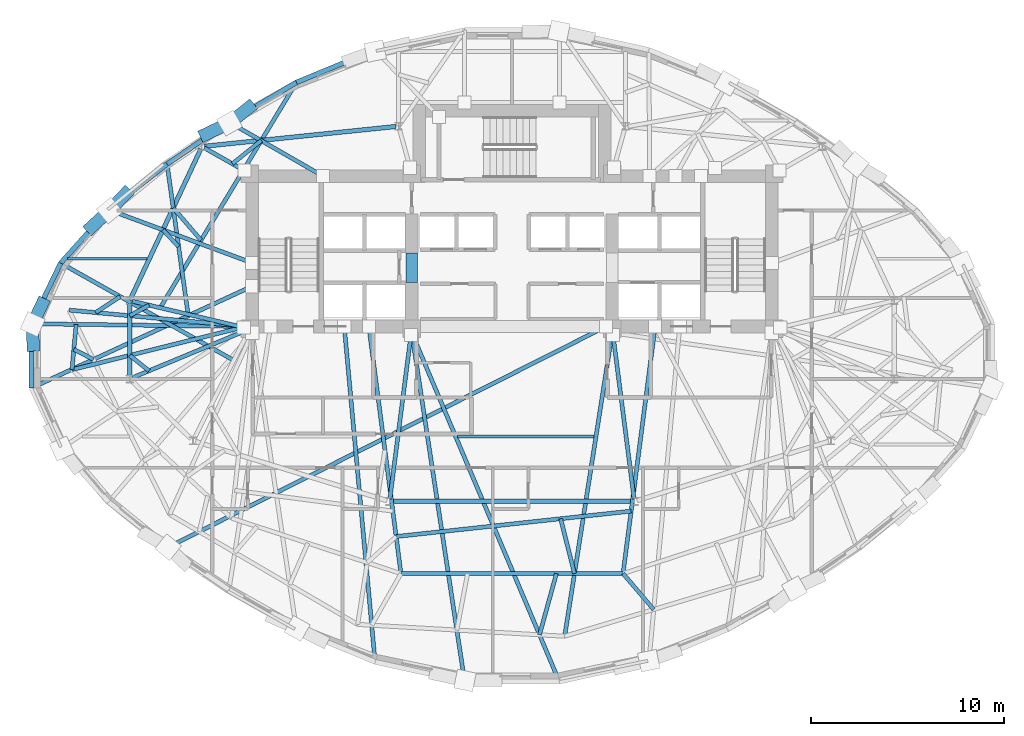
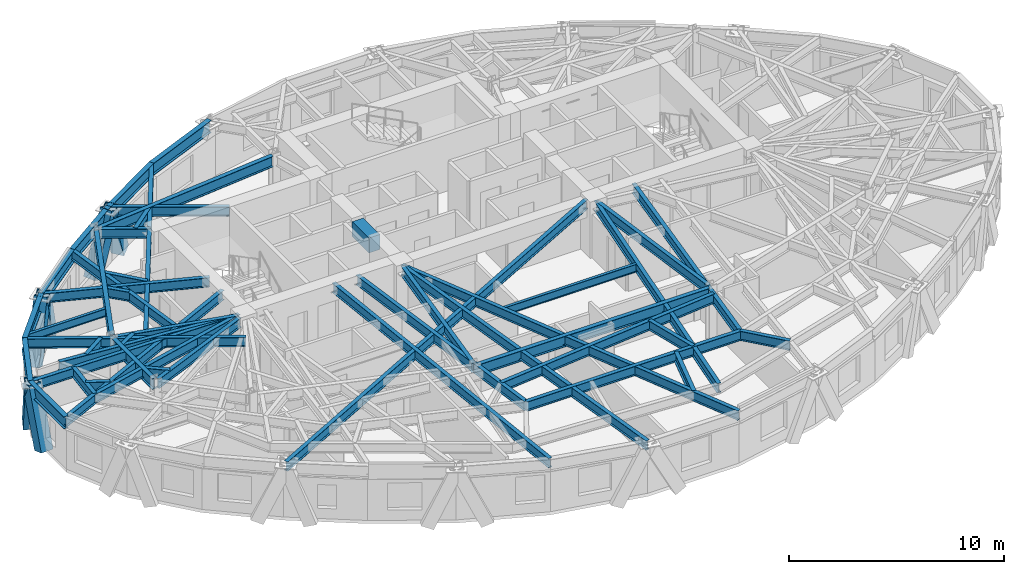
# One storey, part 2 of 14: 48 beams, 6 members.
"""IFC4 building model written with IfcOpenShell, lengths in metres."""

from ifc_helpers import new_model, si_unit, direction, frame, origin, origin_2d, place, context, subcontext, project, spatial, rectangle, hollow_rectangle, i_section, extrude, material, material_profile, profile_set, type_object, element, save


model = new_model("IFC4")

# Units and contexts
model_context = context("Model", 3, precision=1e-05, world=origin(), true_north=direction((0.0, 1.0)))
body_context = subcontext(model_context, "Body", "Model", "MODEL_VIEW")
ifc_project = project(units=[si_unit("LENGTHUNIT", "METRE"), si_unit("AREAUNIT", "SQUARE_METRE"), si_unit("VOLUMEUNIT", "CUBIC_METRE"), si_unit("PLANEANGLEUNIT", "RADIAN"), si_unit("MASSUNIT", "GRAM", prefix="KILO")], contexts=[model_context])

# Site, building, storey
site_placement = place(None, origin())
site = spatial("IfcSite", under=ifc_project, at=site_placement, CompositionType="ELEMENT")
building_placement = place(site_placement, origin())
building = spatial("IfcBuilding", under=site, at=building_placement, Name="Keldmark Tower", CompositionType="ELEMENT")
storey_placement = place(building_placement, frame((0.0, 0.0, 182.199951171875)))
storey = spatial("IfcBuildingStorey", under=building, at=storey_placement, Name="L50", CompositionType="ELEMENT", Elevation=182.199951171875)

# Beams
ifc_material_1 = material(Name="Steel ASTM A992 Grade 50", Category="steel")
ifc_material_profile_1 = material_profile(ifc_material_1, i_section(OverallWidth=0.153076171875, OverallDepth=0.455078125, WebThickness=0.008056640625, FlangeThickness=0.01318359375, at=origin_2d()), Name="W18X40")
ifc_profile_set_1 = profile_set([ifc_material_profile_1], Name="Steel ASTM A992 Grade 50")
beam_type_1 = type_object("IfcBeamType", Name="Composite Floor Joist W18X40", PredefinedType="JOIST", material=ifc_profile_set_1)
beam_1_placement = place(storey_placement, frame((-2.819580078125, -4.179931640625, 2.79248046875), z_axis=(1.0, 0.0, 0.0), x_axis=(0.0, 1.0, 0.0)))
element("IfcBeam", 1, at=beam_1_placement, inside=storey, type_object=beam_type_1, Name="L50 Composite Floor Joist J03", PredefinedType="JOIST", context=body_context, shape_type="SweptSolid", body=[
    extrude(i_section(OverallWidth=0.153076171875, OverallDepth=0.455078125, WebThickness=0.008056640625, FlangeThickness=0.01318359375, at=origin_2d()), origin(), (0.0, 0.0, 1.0), 7.078857421875),
])
beam_2_placement = place(storey_placement, frame((-23.0458984375, 5.0400390625, 2.79248046875), z_axis=(1.0, 0.0, 0.0), x_axis=(0.0, 1.0, 0.0)))
element("IfcBeam", 2, at=beam_2_placement, inside=storey, type_object=beam_type_1, Name="L50 Composite Floor Joist J05", PredefinedType="JOIST", context=body_context, shape_type="SweptSolid", body=[
    extrude(i_section(OverallWidth=0.153076171875, OverallDepth=0.455078125, WebThickness=0.008056640625, FlangeThickness=0.01318359375, at=origin_2d()), origin(), (0.0, 0.0, 1.0), 4.1181640625),
])
ifc_material_2 = material(Name="Concrete C50/60", Category="concrete")
ifc_material_profile_2 = material_profile(ifc_material_2, rectangle(XDim=0.60009765625, YDim=0.85009765625, at=origin_2d()), Name="RCB600X850")
ifc_profile_set_2 = profile_set([ifc_material_profile_2], Name="Concrete C50/60")
beam_type_2 = type_object("IfcBeamType", Name="Core Coupling Beam RCB600X850", PredefinedType="USERDEFINED", material=ifc_profile_set_2)
beam_3_placement = place(storey_placement, frame((-5.199951171875, 3.800048828125, 2.594970703125), z_axis=(0.0, 1.0, 0.0), x_axis=(-1.0, 0.0, 0.0)))
element("IfcBeam", 3, at=beam_3_placement, inside=storey, type_object=beam_type_2, Name="L50 West Core Coupling Beam", ObjectType="COUPLING BEAM", PredefinedType="USERDEFINED", context=body_context, shape_type="SweptSolid", body=[
    extrude(rectangle(XDim=0.60009765625, YDim=0.85009765625, at=origin_2d()), origin(), (0.0, 0.0, 1.0), 1.550048828125),
])

# Members
ifc_material_3 = material(Name="Steel ASTM A572 Grade 50", Category="steel")
ifc_material_profile_3 = material_profile(ifc_material_3, hollow_rectangle(XDim=0.64990234375, YDim=0.64990234375, WallThickness=0.0400390625, at=origin_2d()), Name="BOX650X650X40")
ifc_profile_set_3 = profile_set([ifc_material_profile_3], Name="Steel ASTM A572 Grade 50")
member_type = type_object("IfcMemberType", Name="Diagrid Zone 3 Brace BOX650X650X40", PredefinedType="BRACE", material=ifc_profile_set_3)
member_1_placement = place(storey_placement, frame((-13.630615234375, 12.89111328125, -0.260009765625), z_axis=(-0.299353336708, -0.238326368924, 0.923898328647), x_axis=(0.62285067598, -0.782340741258, 0.0)))
element("IfcMember", 4, at=member_1_placement, inside=storey, type_object=member_type, Name="L50 Perimeter Diagrid Brace 06A", PredefinedType="BRACE", context=body_context, shape_type="SweptSolid", body=[
    extrude(hollow_rectangle(XDim=0.64990234375, YDim=0.64990234375, WallThickness=0.0400390625, at=origin_2d()), origin(), (0.0, 0.0, 1.0), 3.42041015625),
])
member_2_placement = place(storey_placement, frame((-15.897705078125, 11.490234375, -0.260009765625), z_axis=(0.363096007671, 0.171642812667, 0.915805674842), x_axis=(-0.427374380987, 0.904074741643, 0.0)))
element("IfcMember", 5, at=member_2_placement, inside=storey, type_object=member_type, Name="L50 Perimeter Diagrid Brace 06B", PredefinedType="BRACE", context=body_context, shape_type="SweptSolid", body=[
    extrude(hollow_rectangle(XDim=0.64990234375, YDim=0.64990234375, WallThickness=0.0400390625, at=origin_2d()), origin(), (0.0, 0.0, 1.0), 3.45068359375),
])
member_3_placement = place(storey_placement, frame((-20.04150390625, 8.411376953125, -0.260009765625), z_axis=(-0.246893402367, -0.256639194565, 0.934440994221), x_axis=(0.720657748805, -0.693290998851, 0.0)))
element("IfcMember", 6, at=member_3_placement, inside=storey, type_object=member_type, Name="L50 Perimeter Diagrid Brace 07A", PredefinedType="BRACE", context=body_context, shape_type="SweptSolid", body=[
    extrude(hollow_rectangle(XDim=0.64990234375, YDim=0.64990234375, WallThickness=0.0400390625, at=origin_2d()), origin(), (0.0, 0.0, 1.0), 3.3818359375),
])
member_4_placement = place(storey_placement, frame((-21.826416015625, 6.673583984375, -0.260009765625), z_axis=(0.279877379143, 0.257441459548, 0.924874341492), x_axis=(-0.67699139937, 0.735990927375, 0.0)))
element("IfcMember", 7, at=member_4_placement, inside=storey, type_object=member_type, Name="L50 Perimeter Diagrid Brace 07B", PredefinedType="BRACE", context=body_context, shape_type="SweptSolid", body=[
    extrude(hollow_rectangle(XDim=0.64990234375, YDim=0.64990234375, WallThickness=0.0400390625, at=origin_2d()), origin(), (0.0, 0.0, 1.0), 3.416748046875),
])
member_5_placement = place(storey_placement, frame((-24.36767578125, 2.7001953125, -0.260009765625), z_axis=(-0.147798689102, -0.312776529413, 0.93825710237), x_axis=(0.90413849574, -0.427239488485, 0.0)))
element("IfcMember", 8, at=member_5_placement, inside=storey, type_object=member_type, Name="L50 Perimeter Diagrid Brace 08A", PredefinedType="BRACE", context=body_context, shape_type="SweptSolid", body=[
    extrude(hollow_rectangle(XDim=0.64990234375, YDim=0.64990234375, WallThickness=0.0400390625, at=origin_2d()), origin(), (0.0, 0.0, 1.0), 3.3681640625),
])
member_6_placement = place(storey_placement, frame((-24.8408203125, 0.54833984375, -0.260009765625), z_axis=(-0.006632950239, 0.33135595369, 0.943482504303), x_axis=(-0.999799708079, -0.020013588525, 0.0)))
element("IfcMember", 9, at=member_6_placement, inside=storey, type_object=member_type, Name="L50 Perimeter Diagrid Brace 08B", PredefinedType="BRACE", context=body_context, shape_type="SweptSolid", body=[
    extrude(hollow_rectangle(XDim=0.64990234375, YDim=0.64990234375, WallThickness=0.0400390625, at=origin_2d()), origin(), (0.0, 0.0, 1.0), 3.349365234375),
])

# Beams
ifc_material_4 = material(Name="Steel ASTM A992 Grade 50", Category="steel")
ifc_material_profile_4 = material_profile(ifc_material_4, i_section(OverallWidth=0.22900390625, OverallDepth=0.612060546875, WebThickness=0.011962890625, FlangeThickness=0.01953125, at=origin_2d()), Name="W24X84")
ifc_profile_set_4 = profile_set([ifc_material_profile_4], Name="Steel ASTM A992 Grade 50")
beam_type_3 = type_object("IfcBeamType", Name="Primary Floor Girder W24X84", PredefinedType="BEAM", material=ifc_profile_set_4)
beam_4_placement = place(storey_placement, frame((-6.01953125, 11.90087890625, 2.714111328125), z_axis=(-0.994702930931, -0.102791435423, 0.0), x_axis=(0.102791435423, -0.994702930931, 0.0)))
element("IfcBeam", 10, at=beam_4_placement, inside=storey, type_object=beam_type_3, Name="L50 Floor Ring Girder FG-R04", PredefinedType="BEAM", context=body_context, shape_type="SweptSolid", body=[
    extrude(i_section(OverallWidth=0.22900390625, OverallDepth=0.612060546875, WebThickness=0.011962890625, FlangeThickness=0.01953125, at=origin_2d()), origin(), (0.0, 0.0, 1.0), 9.975341796875),
])
beam_5_placement = place(storey_placement, frame((-16.140869140625, 10.734130859375, 2.714111328125), z_axis=(-0.424526823774, -0.905415360979, 0.0), x_axis=(0.905415360979, -0.424526823774, 0.0)))
element("IfcBeam", 11, at=beam_5_placement, inside=storey, type_object=beam_type_3, Name="L50 Floor Ring Girder FG-R05", PredefinedType="BEAM", context=body_context, shape_type="SweptSolid", body=[
    extrude(i_section(OverallWidth=0.22900390625, OverallDepth=0.612060546875, WebThickness=0.011962890625, FlangeThickness=0.01953125, at=origin_2d()), origin(), (0.0, 0.0, 1.0), 8.54638671875),
])
beam_6_placement = place(storey_placement, frame((-19.828369140625, 2.729248046875, 2.714111328125), z_axis=(0.0, -1.0, 0.0), x_axis=(1.0, 0.0, 0.0)))
element("IfcBeam", 12, at=beam_6_placement, inside=storey, type_object=beam_type_3, Name="L50 Floor Ring Girder FG-R06", PredefinedType="BEAM", context=body_context, shape_type="SweptSolid", body=[
    extrude(i_section(OverallWidth=0.22900390625, OverallDepth=0.612060546875, WebThickness=0.011962890625, FlangeThickness=0.01953125, at=origin_2d()), origin(), (0.0, 0.0, 1.0), 3.778564453125),
])
beam_7_placement = place(storey_placement, frame((-6.211181640625, -7.546142578125, 2.714111328125), z_axis=(1.0, 0.0, 0.0), x_axis=(0.0, 1.0, 0.0)))
element("IfcBeam", 13, at=beam_7_placement, inside=storey, type_object=beam_type_3, Name="L50 Floor Ring Girder FG-R09", PredefinedType="BEAM", context=body_context, shape_type="SweptSolid", body=[
    extrude(i_section(OverallWidth=0.22900390625, OverallDepth=0.612060546875, WebThickness=0.011962890625, FlangeThickness=0.01953125, at=origin_2d()), origin(), (0.0, 0.0, 1.0), 12.42236328125),
])
ifc_material_5 = material(Name="Steel ASTM A992 Grade 50", Category="steel")
ifc_material_profile_5 = material_profile(ifc_material_5, i_section(OverallWidth=0.2099609375, OverallDepth=0.537109375, WebThickness=0.010986328125, FlangeThickness=0.017333984375, at=origin_2d()), Name="W21X68")
ifc_profile_set_5 = profile_set([ifc_material_profile_5], Name="Steel ASTM A992 Grade 50")
beam_type_4 = type_object("IfcBeamType", Name="Radial Tie Girder W21X68", PredefinedType="BEAM", material=ifc_profile_set_5)
beam_8_placement = place(storey_placement, frame((-15.959716796875, 10.791748046875, 2.75146484375), z_axis=(0.86929527307, -0.494293160197, 0.0), x_axis=(0.494293160197, 0.86929527307, 0.0)))
element("IfcBeam", 14, at=beam_8_placement, inside=storey, type_object=beam_type_4, Name="L50 Floor Radial Girder FG-C05", PredefinedType="BEAM", context=body_context, shape_type="SweptSolid", body=[
    extrude(i_section(OverallWidth=0.2099609375, OverallDepth=0.537109375, WebThickness=0.010986328125, FlangeThickness=0.017333984375, at=origin_2d()), origin(), (0.0, 0.0, 1.0), 2.39453125),
])
beam_9_placement = place(storey_placement, frame((-19.692138671875, 2.837158203125, 2.75146484375), z_axis=(0.973280062348, -0.229621253887, 0.0), x_axis=(0.229621253887, 0.973280062348, 0.0)))
element("IfcBeam", 15, at=beam_9_placement, inside=storey, type_object=beam_type_4, Name="L50 Floor Radial Girder FG-C06", PredefinedType="BEAM", context=body_context, shape_type="SweptSolid", body=[
    extrude(i_section(OverallWidth=0.2099609375, OverallDepth=0.537109375, WebThickness=0.010986328125, FlangeThickness=0.017333984375, at=origin_2d()), origin(), (0.0, 0.0, 1.0), 5.939208984375),
])
beam_10_placement = place(storey_placement, frame((-19.69921875, -1.135498046875, 2.75146484375), z_axis=(0.923393794893, 0.383854008124, 0.0), x_axis=(-0.383854008124, 0.923393794893, 0.0)))
element("IfcBeam", 16, at=beam_10_placement, inside=storey, type_object=beam_type_4, Name="L50 Floor Radial Girder FG-C07", PredefinedType="BEAM", context=body_context, shape_type="SweptSolid", body=[
    extrude(i_section(OverallWidth=0.2099609375, OverallDepth=0.537109375, WebThickness=0.010986328125, FlangeThickness=0.017333984375, at=origin_2d()), origin(), (0.0, 0.0, 1.0), 6.28515625),
])
for number, where, z_axis, x_axis, name in (
    (17, (-6.333251953125, -7.4072265625, 2.75146484375), (0.127635577416, 0.991821132754, 0.0), (-0.991821132754, 0.127635577416, 0.0), "L50 Floor Radial Girder FG-C09"),
    (18, (6.333251953125, -7.4072265625, 2.75146484375), (-0.127635577416, 0.991821132754, 0.0), (-0.991821132754, -0.127635577416, 0.0), "L50 Floor Radial Girder FG-C10"),
):
    element("IfcBeam", number, at=place(storey_placement, frame(where, z_axis=z_axis, x_axis=x_axis)), inside=storey, type_object=beam_type_4, Name=name, PredefinedType="BEAM", context=body_context, shape_type="SweptSolid", body=[
        extrude(i_section(OverallWidth=0.2099609375, OverallDepth=0.537109375, WebThickness=0.010986328125, FlangeThickness=0.017333984375, at=origin_2d()), origin(), (0.0, 0.0, 1.0), 8.559814453125),
    ])
beam_11_placement = place(storey_placement, frame((-18.82861328125, -0.773681640625, 2.75146484375), z_axis=(-0.780124815804, 0.625623906007, 0.0), x_axis=(-0.625623906007, -0.780124815804, 0.0)))
element("IfcBeam", 19, at=beam_11_placement, inside=storey, type_object=beam_type_4, Name="L50 Framing Pin Header PH-001", PredefinedType="BEAM", context=body_context, shape_type="SweptSolid", body=[
    extrude(i_section(OverallWidth=0.2099609375, OverallDepth=0.537109375, WebThickness=0.010986328125, FlangeThickness=0.017333984375, at=origin_2d()), origin(), (0.0, 0.0, 1.0), 1.281494140625),
])
beam_12_placement = place(storey_placement, frame((-13.800048828125, 1.52490234375, 2.75146484375), z_axis=(-0.970532067768, -0.240972001349, 0.0), x_axis=(0.240972001349, -0.970532067768, 0.0)))
element("IfcBeam", 20, at=beam_12_placement, inside=storey, type_object=beam_type_4, Name="L50 Sub-Ring Step Girder STP1-M07", PredefinedType="BEAM", context=body_context, shape_type="SweptSolid", body=[
    extrude(i_section(OverallWidth=0.2099609375, OverallDepth=0.537109375, WebThickness=0.010986328125, FlangeThickness=0.017333984375, at=origin_2d()), origin(), (0.0, 0.0, 1.0), 9.296630859375),
])
beam_13_placement = place(storey_placement, frame((-7.425048828125, 1.52490234375, 2.75146484375), z_axis=(0.128866746886, -0.991661918976, 0.0), x_axis=(0.991661918976, 0.128866746886, 0.0)))
element("IfcBeam", 21, at=beam_13_placement, inside=storey, type_object=beam_type_4, Name="L50 Sub-Ring Step Girder STP1-M09", PredefinedType="BEAM", context=body_context, shape_type="SweptSolid", body=[
    extrude(i_section(OverallWidth=0.2099609375, OverallDepth=0.537109375, WebThickness=0.010986328125, FlangeThickness=0.017333984375, at=origin_2d()), origin(), (0.0, 0.0, 1.0), 12.92431640625),
])
beam_14_placement = place(storey_placement, frame((-6.009521484375, -9.369384765625, 2.75146484375), z_axis=(0.994196519437, 0.10757918358, 0.0), x_axis=(-0.10757918358, 0.994196519437, 0.0)))
element("IfcBeam", 22, at=beam_14_placement, inside=storey, type_object=beam_type_4, Name="L50 Framing Pin Header PH-004", PredefinedType="BEAM", context=body_context, shape_type="SweptSolid", body=[
    extrude(i_section(OverallWidth=0.2099609375, OverallDepth=0.537109375, WebThickness=0.010986328125, FlangeThickness=0.017333984375, at=origin_2d()), origin(), (0.0, 0.0, 1.0), 12.261474609375),
])
beam_15_placement = place(storey_placement, frame((7.425048828125, 1.52490234375, 2.75146484375), z_axis=(-0.128866746886, -0.991661918976, 0.0), x_axis=(0.991661918976, -0.128866746886, 0.0)))
element("IfcBeam", 23, at=beam_15_placement, inside=storey, type_object=beam_type_4, Name="L50 Sub-Ring Step Girder STP1-M10", PredefinedType="BEAM", context=body_context, shape_type="SweptSolid", body=[
    extrude(i_section(OverallWidth=0.2099609375, OverallDepth=0.537109375, WebThickness=0.010986328125, FlangeThickness=0.017333984375, at=origin_2d()), origin(), (0.0, 0.0, 1.0), 12.92431640625),
])
beam_16_placement = place(storey_placement, frame((-5.759521484375, -11.291748046875, 2.75146484375), z_axis=(1.0, 0.0, 0.0), x_axis=(0.0, 1.0, 0.0)))
element("IfcBeam", 24, at=beam_16_placement, inside=storey, type_object=beam_type_4, Name="L50 Perimeter Collector Ring Beam CRG1-M09", PredefinedType="BEAM", context=body_context, shape_type="SweptSolid", body=[
    extrude(i_section(OverallWidth=0.2099609375, OverallDepth=0.537109375, WebThickness=0.010986328125, FlangeThickness=0.017333984375, at=origin_2d()), origin(), (0.0, 0.0, 1.0), 11.51904296875),
])
beam_17_placement = place(storey_placement, frame((-18.824951171875, 2.632568359375, 2.75146484375), z_axis=(-0.877430111569, -0.479704491653, 0.0), x_axis=(0.479704491653, -0.877430111569, 0.0)))
element("IfcBeam", 25, at=beam_17_placement, inside=storey, type_object=beam_type_4, Name="L50 Framing Pin Header PH-007", PredefinedType="BEAM", context=body_context, shape_type="SweptSolid", body=[
    extrude(i_section(OverallWidth=0.2099609375, OverallDepth=0.537109375, WebThickness=0.010986328125, FlangeThickness=0.017333984375, at=origin_2d()), origin(), (0.0, 0.0, 1.0), 1.1435546875),
])
beam_18_placement = place(storey_placement, frame((-13.800048828125, 1.52490234375, 2.75146484375), z_axis=(-0.995728229576, 0.092332512292, 0.0), x_axis=(-0.092332512292, -0.995728229576, 0.0)))
element("IfcBeam", 26, at=beam_18_placement, inside=storey, type_object=beam_type_4, Name="L50 Sub-Ring Step Girder STP2-M07", PredefinedType="BEAM", context=body_context, shape_type="SweptSolid", body=[
    extrude(i_section(OverallWidth=0.2099609375, OverallDepth=0.537109375, WebThickness=0.010986328125, FlangeThickness=0.017333984375, at=origin_2d()), origin(), (0.0, 0.0, 1.0), 9.212158203125),
])
beam_19_placement = place(storey_placement, frame((2.523681640625, -8.446044921875, 2.75146484375), z_axis=(0.244570733877, -0.969631453765, 0.0), x_axis=(0.969631453765, 0.244570733877, 0.0)))
element("IfcBeam", 27, at=beam_19_placement, inside=storey, type_object=beam_type_4, Name="L50 Framing Pin Header PH-010", PredefinedType="BEAM", context=body_context, shape_type="SweptSolid", body=[
    extrude(i_section(OverallWidth=0.2099609375, OverallDepth=0.537109375, WebThickness=0.010986328125, FlangeThickness=0.017333984375, at=origin_2d()), origin(), (0.0, 0.0, 1.0), 2.934814453125),
])
beam_20_placement = place(storey_placement, frame((5.199951171875, 1.199951171875, 2.75146484375), z_axis=(-0.154905020361, -0.987929367246, 0.0), x_axis=(0.987929367246, -0.154905020361, 0.0)))
element("IfcBeam", 28, at=beam_20_placement, inside=storey, type_object=beam_type_4, Name="L50 Sub-Ring Step Girder STP2-M10", PredefinedType="BEAM", context=body_context, shape_type="SweptSolid", body=[
    extrude(i_section(OverallWidth=0.2099609375, OverallDepth=0.537109375, WebThickness=0.010986328125, FlangeThickness=0.017333984375, at=origin_2d()), origin(), (0.0, 0.0, 1.0), 15.93408203125),
])
beam_21_placement = place(storey_placement, frame((-14.502685546875, 9.96337890625, 2.75146484375), z_axis=(0.777494730398, 0.628889453087, 0.0), x_axis=(-0.628889453087, 0.777494730398, 0.0)))
element("IfcBeam", 29, at=beam_21_placement, inside=storey, type_object=beam_type_4, Name="L50 Framing Pin Header PH-018", PredefinedType="BEAM", context=body_context, shape_type="SweptSolid", body=[
    extrude(i_section(OverallWidth=0.2099609375, OverallDepth=0.537109375, WebThickness=0.010986328125, FlangeThickness=0.017333984375, at=origin_2d()), origin(), (0.0, 0.0, 1.0), 1.93359375),
])
beam_22_placement = place(storey_placement, frame((-18.246826171875, 2.49609375, 2.75146484375), z_axis=(0.517201037941, 0.855863941496, 0.0), x_axis=(-0.855863941496, 0.517201037941, 0.0)))
element("IfcBeam", 30, at=beam_22_placement, inside=storey, type_object=beam_type_4, Name="L50 Perimeter Radial Tie Girder RT-11", PredefinedType="BEAM", context=body_context, shape_type="SweptSolid", body=[
    extrude(i_section(OverallWidth=0.2099609375, OverallDepth=0.537109375, WebThickness=0.010986328125, FlangeThickness=0.017333984375, at=origin_2d()), origin(), (0.0, 0.0, 1.0), 13.65673828125),
])
beam_23_placement = place(storey_placement, frame((-9.8037109375, 9.324951171875, 2.75146484375), z_axis=(-0.867025792536, 0.498263258808, 0.0), x_axis=(-0.498263258808, -0.867025792536, 0.0)))
element("IfcBeam", 31, at=beam_23_placement, inside=storey, type_object=beam_type_4, Name="L50 Perimeter Radial Tie Girder RT-12", PredefinedType="BEAM", context=body_context, shape_type="SweptSolid", body=[
    extrude(i_section(OverallWidth=0.2099609375, OverallDepth=0.537109375, WebThickness=0.010986328125, FlangeThickness=0.017333984375, at=origin_2d()), origin(), (0.0, 0.0, 1.0), 5.62744140625),
])
beam_24_placement = place(storey_placement, frame((-16.1279296875, 6.002685546875, 2.75146484375), z_axis=(-0.653068342592, 0.757298976564, 0.0), x_axis=(-0.757298976564, -0.653068342592, 0.0)))
element("IfcBeam", 32, at=beam_24_placement, inside=storey, type_object=beam_type_4, Name="L50 Framing Pin Header PH-019", PredefinedType="BEAM", context=body_context, shape_type="SweptSolid", body=[
    extrude(i_section(OverallWidth=0.2099609375, OverallDepth=0.537109375, WebThickness=0.010986328125, FlangeThickness=0.017333984375, at=origin_2d()), origin(), (0.0, 0.0, 1.0), 2.21337890625),
])
beam_25_placement = place(storey_placement, frame((-16.8017578125, 2.1552734375, 2.75146484375), z_axis=(-0.138338894605, 0.990384950532, 0.0), x_axis=(-0.990384950532, -0.138338894605, 0.0)))
element("IfcBeam", 33, at=beam_25_placement, inside=storey, type_object=beam_type_4, Name="L50 Perimeter Radial Tie Girder RT-13", PredefinedType="BEAM", context=body_context, shape_type="SweptSolid", body=[
    extrude(i_section(OverallWidth=0.2099609375, OverallDepth=0.537109375, WebThickness=0.010986328125, FlangeThickness=0.017333984375, at=origin_2d()), origin(), (0.0, 0.0, 1.0), 7.87451171875),
])
beam_26_placement = place(storey_placement, frame((-17.2919921875, 5.664794921875, 2.75146484375), z_axis=(-0.682703794449, 0.730695236775, 0.0), x_axis=(-0.730695236775, -0.682703794449, 0.0)))
element("IfcBeam", 34, at=beam_26_placement, inside=storey, type_object=beam_type_4, Name="L50 Framing Pin Header PH-020", PredefinedType="BEAM", context=body_context, shape_type="SweptSolid", body=[
    extrude(i_section(OverallWidth=0.2099609375, OverallDepth=0.537109375, WebThickness=0.010986328125, FlangeThickness=0.017333984375, at=origin_2d()), origin(), (0.0, 0.0, 1.0), 1.195556640625),
])
beam_27_placement = place(storey_placement, frame((-13.47509765625, 4.8212890625, 2.75146484375), z_axis=(-0.9376738421, 0.34751656916, 0.0), x_axis=(-0.34751656916, -0.9376738421, 0.0)))
element("IfcBeam", 35, at=beam_27_placement, inside=storey, type_object=beam_type_4, Name="L50 Perimeter Radial Tie Girder RT-14", PredefinedType="BEAM", context=body_context, shape_type="SweptSolid", body=[
    extrude(i_section(OverallWidth=0.2099609375, OverallDepth=0.537109375, WebThickness=0.010986328125, FlangeThickness=0.017333984375, at=origin_2d()), origin(), (0.0, 0.0, 1.0), 7.94287109375),
])
beam_28_placement = place(storey_placement, frame((-21.596923828125, 2.248046875, 2.75146484375), z_axis=(0.837757405885, 0.546042607207, 0.0), x_axis=(-0.546042607207, 0.837757405885, 0.0)))
element("IfcBeam", 36, at=beam_28_placement, inside=storey, type_object=beam_type_4, Name="L50 Framing Pin Header PH-021", PredefinedType="BEAM", context=body_context, shape_type="SweptSolid", body=[
    extrude(i_section(OverallWidth=0.2099609375, OverallDepth=0.537109375, WebThickness=0.010986328125, FlangeThickness=0.017333984375, at=origin_2d()), origin(), (0.0, 0.0, 1.0), 1.521484375),
])
beam_29_placement = place(storey_placement, frame((-14.4296875, -0.232421875, 2.75146484375), z_axis=(-0.871789377563, 0.489880884674, 0.0), x_axis=(-0.489880884674, -0.871789377563, 0.0)))
element("IfcBeam", 37, at=beam_29_placement, inside=storey, type_object=beam_type_4, Name="L50 Perimeter Radial Tie Girder RT-15", PredefinedType="BEAM", context=body_context, shape_type="SweptSolid", body=[
    extrude(i_section(OverallWidth=0.2099609375, OverallDepth=0.537109375, WebThickness=0.010986328125, FlangeThickness=0.017333984375, at=origin_2d()), origin(), (0.0, 0.0, 1.0), 10.3017578125),
])
beam_30_placement = place(storey_placement, frame((-22.82275390625, -0.71533203125, 2.75146484375), z_axis=(0.090918104437, 0.995858372604, 0.0), x_axis=(-0.995858372604, 0.090918104437, 0.0)))
element("IfcBeam", 38, at=beam_30_placement, inside=storey, type_object=beam_type_4, Name="L50 Framing Pin Header PH-022", PredefinedType="BEAM", context=body_context, shape_type="SweptSolid", body=[
    extrude(i_section(OverallWidth=0.2099609375, OverallDepth=0.537109375, WebThickness=0.010986328125, FlangeThickness=0.017333984375, at=origin_2d()), origin(), (0.0, 0.0, 1.0), 2.3603515625),
])
beam_31_placement = place(storey_placement, frame((-13.800048828125, 1.52490234375, 2.75146484375), z_axis=(-0.999921743509, 0.012510270063, 0.0), x_axis=(-0.012510270063, -0.999921743509, 0.0)))
element("IfcBeam", 39, at=beam_31_placement, inside=storey, type_object=beam_type_4, Name="L50 Perimeter Radial Tie Girder RT-16", PredefinedType="BEAM", context=body_context, shape_type="SweptSolid", body=[
    extrude(i_section(OverallWidth=0.2099609375, OverallDepth=0.537109375, WebThickness=0.010986328125, FlangeThickness=0.017333984375, at=origin_2d()), origin(), (0.0, 0.0, 1.0), 11.123779296875),
])
beam_32_placement = place(storey_placement, frame((-22.726318359375, 0.34228515625, 2.75146484375), z_axis=(0.887748062326, -0.460329640407, 0.0), x_axis=(0.460329640407, 0.887748062326, 0.0)))
element("IfcBeam", 40, at=beam_32_placement, inside=storey, type_object=beam_type_4, Name="L50 Framing Pin Header PH-023", PredefinedType="BEAM", context=body_context, shape_type="SweptSolid", body=[
    extrude(i_section(OverallWidth=0.2099609375, OverallDepth=0.537109375, WebThickness=0.010986328125, FlangeThickness=0.017333984375, at=origin_2d()), origin(), (0.0, 0.0, 1.0), 1.142333984375),
])
beam_33_placement = place(storey_placement, frame((-13.47509765625, 3.6142578125, 2.75146484375), z_axis=(-0.908118034202, -0.41871426529, 0.0), x_axis=(0.41871426529, -0.908118034202, 0.0)))
element("IfcBeam", 41, at=beam_33_placement, inside=storey, type_object=beam_type_4, Name="L50 Perimeter Radial Tie Girder RT-17", PredefinedType="BEAM", context=body_context, shape_type="SweptSolid", body=[
    extrude(i_section(OverallWidth=0.2099609375, OverallDepth=0.537109375, WebThickness=0.010986328125, FlangeThickness=0.017333984375, at=origin_2d()), origin(), (0.0, 0.0, 1.0), 12.60595703125),
])
beam_34_placement = place(storey_placement, frame((4.875, 1.52490234375, 2.75146484375), z_axis=(-0.892916853319, -0.45022160439, 0.0), x_axis=(0.45022160439, -0.892916853319, 0.0)))
element("IfcBeam", 42, at=beam_34_placement, inside=storey, type_object=beam_type_4, Name="L50 Perimeter Radial Tie Girder RT-20", PredefinedType="BEAM", context=body_context, shape_type="SweptSolid", body=[
    extrude(i_section(OverallWidth=0.2099609375, OverallDepth=0.537109375, WebThickness=0.010986328125, FlangeThickness=0.017333984375, at=origin_2d()), origin(), (0.0, 0.0, 1.0), 25.496337890625),
])
beam_35_placement = place(storey_placement, frame((-8.699951171875, 1.52490234375, 2.75146484375), z_axis=(0.09149969152, -0.995805104652, 0.0), x_axis=(0.995805104652, 0.09149969152, 0.0)))
element("IfcBeam", 43, at=beam_35_placement, inside=storey, type_object=beam_type_4, Name="L50 Perimeter Radial Tie Girder RT-23", PredefinedType="BEAM", context=body_context, shape_type="SweptSolid", body=[
    extrude(i_section(OverallWidth=0.2099609375, OverallDepth=0.537109375, WebThickness=0.010986328125, FlangeThickness=0.017333984375, at=origin_2d()), origin(), (0.0, 0.0, 1.0), 17.46875),
])
beam_36_placement = place(storey_placement, frame((-5.199951171875, 1.199951171875, 2.75146484375), z_axis=(0.149995041774, -0.988686748896, 0.0), x_axis=(0.988686748896, 0.149995041774, 0.0)))
element("IfcBeam", 44, at=beam_36_placement, inside=storey, type_object=beam_type_4, Name="L50 Perimeter Radial Tie Girder RT-24", PredefinedType="BEAM", context=body_context, shape_type="SweptSolid", body=[
    extrude(i_section(OverallWidth=0.2099609375, OverallDepth=0.537109375, WebThickness=0.010986328125, FlangeThickness=0.017333984375, at=origin_2d()), origin(), (0.0, 0.0, 1.0), 18.302978515625),
])
beam_37_placement = place(storey_placement, frame((2.3037109375, -11.291748046875, 2.75146484375), z_axis=(-0.265988369203, -0.963976238011, 0.0), x_axis=(0.963976238011, -0.265988369203, 0.0)))
element("IfcBeam", 45, at=beam_37_placement, inside=storey, type_object=beam_type_4, Name="L50 Framing Pin Header PH-031", PredefinedType="BEAM", context=body_context, shape_type="SweptSolid", body=[
    extrude(i_section(OverallWidth=0.2099609375, OverallDepth=0.537109375, WebThickness=0.010986328125, FlangeThickness=0.017333984375, at=origin_2d()), origin(), (0.0, 0.0, 1.0), 3.294189453125),
])
beam_38_placement = place(storey_placement, frame((-5.199951171875, 1.199951171875, 2.75146484375), z_axis=(0.389577971383, -0.920993487606, 0.0), x_axis=(0.920993487606, 0.389577971383, 0.0)))
element("IfcBeam", 46, at=beam_38_placement, inside=storey, type_object=beam_type_4, Name="L50 Perimeter Radial Tie Girder RT-25", PredefinedType="BEAM", context=body_context, shape_type="SweptSolid", body=[
    extrude(i_section(OverallWidth=0.2099609375, OverallDepth=0.537109375, WebThickness=0.010986328125, FlangeThickness=0.017333984375, at=origin_2d()), origin(), (0.0, 0.0, 1.0), 19.648193359375),
])
beam_39_placement = place(storey_placement, frame((5.759521484375, -11.291748046875, 2.75146484375), z_axis=(0.650232715312, -0.759735095897, 0.0), x_axis=(0.759735095897, 0.650232715312, 0.0)))
element("IfcBeam", 47, at=beam_39_placement, inside=storey, type_object=beam_type_4, Name="L50 Framing Pin Header PH-032", PredefinedType="BEAM", context=body_context, shape_type="SweptSolid", body=[
    extrude(i_section(OverallWidth=0.2099609375, OverallDepth=0.537109375, WebThickness=0.010986328125, FlangeThickness=0.017333984375, at=origin_2d()), origin(), (0.0, 0.0, 1.0), 2.447998046875),
])
ifc_material_6 = material(Name="Steel ASTM A992 Grade 50", Category="steel")
ifc_material_profile_6 = material_profile(ifc_material_6, i_section(OverallWidth=0.256103515625, OverallDepth=0.693115234375, WebThickness=0.014404296875, FlangeThickness=0.023681640625, at=origin_2d()), Name="W27X114")
ifc_profile_set_6 = profile_set([ifc_material_profile_6], Name="Steel ASTM A992 Grade 50")
beam_type_5 = type_object("IfcBeamType", Name="Spandrel Ring Beam W27X114", PredefinedType="SPANDREL", material=ifc_profile_set_6)
beam_40_placement = place(storey_placement, frame((-7.1015625, 15.87060546875, 2.673583984375), z_axis=(-0.924243616995, -0.381803269294, 0.0), x_axis=(0.381803269294, -0.924243616995, 0.0)))
element("IfcBeam", 48, at=beam_40_placement, inside=storey, type_object=beam_type_5, Name="L50 Perimeter Spandrel Ring Beam SRB-10", PredefinedType="SPANDREL", context=body_context, shape_type="SweptSolid", body=[
    extrude(i_section(OverallWidth=0.256103515625, OverallDepth=0.693115234375, WebThickness=0.014404296875, FlangeThickness=0.023681640625, at=origin_2d()), origin(), (0.0, 0.0, 1.0), 4.41650390625),
])
beam_41_placement = place(storey_placement, frame((-11.18359375, 14.184326171875, 2.673583984375), z_axis=(-0.862254167878, -0.506475813812, 0.0), x_axis=(0.506475813812, -0.862254167878, 0.0)))
element("IfcBeam", 49, at=beam_41_placement, inside=storey, type_object=beam_type_5, Name="L50 Perimeter Spandrel Ring Beam SRB-11", PredefinedType="SPANDREL", context=body_context, shape_type="SweptSolid", body=[
    extrude(i_section(OverallWidth=0.256103515625, OverallDepth=0.693115234375, WebThickness=0.014404296875, FlangeThickness=0.023681640625, at=origin_2d()), origin(), (0.0, 0.0, 1.0), 4.058349609375),
])
beam_42_placement = place(storey_placement, frame((-14.682861328125, 12.12890625, 2.673583984375), z_axis=(-0.82774221662, -0.561108565988, 0.0), x_axis=(0.561108565988, -0.82774221662, 0.0)))
element("IfcBeam", 50, at=beam_42_placement, inside=storey, type_object=beam_type_5, Name="L50 Perimeter Spandrel Ring Beam SRB-12", PredefinedType="SPANDREL", context=body_context, shape_type="SweptSolid", body=[
    extrude(i_section(OverallWidth=0.256103515625, OverallDepth=0.693115234375, WebThickness=0.014404296875, FlangeThickness=0.023681640625, at=origin_2d()), origin(), (0.0, 0.0, 1.0), 3.8759765625),
])
beam_43_placement = place(storey_placement, frame((-17.89111328125, 9.9541015625, 2.673583984375), z_axis=(-0.787518383176, -0.616291161838, 0.0), x_axis=(0.616291161838, -0.787518383176, 0.0)))
element("IfcBeam", 51, at=beam_43_placement, inside=storey, type_object=beam_type_5, Name="L50 Perimeter Spandrel Ring Beam SRB-13", PredefinedType="SPANDREL", context=body_context, shape_type="SweptSolid", body=[
    extrude(i_section(OverallWidth=0.256103515625, OverallDepth=0.693115234375, WebThickness=0.014404296875, FlangeThickness=0.023681640625, at=origin_2d()), origin(), (0.0, 0.0, 1.0), 3.849853515625),
])
beam_44_placement = place(storey_placement, frame((-20.9228515625, 7.58154296875, 2.673583984375), z_axis=(-0.668547778607, -0.743669192396, 0.0), x_axis=(0.743669192396, -0.668547778607, 0.0)))
element("IfcBeam", 52, at=beam_44_placement, inside=storey, type_object=beam_type_5, Name="L50 Perimeter Spandrel Ring Beam SRB-14", PredefinedType="SPANDREL", context=body_context, shape_type="SweptSolid", body=[
    extrude(i_section(OverallWidth=0.256103515625, OverallDepth=0.693115234375, WebThickness=0.014404296875, FlangeThickness=0.023681640625, at=origin_2d()), origin(), (0.0, 0.0, 1.0), 3.72119140625),
])
beam_45_placement = place(storey_placement, frame((-23.41064453125, 4.814208984375, 2.673583984375), z_axis=(-0.43276286683, -0.90150779314, 0.0), x_axis=(0.90150779314, -0.43276286683, 0.0)))
element("IfcBeam", 53, at=beam_45_placement, inside=storey, type_object=beam_type_5, Name="L50 Perimeter Spandrel Ring Beam SRB-15", PredefinedType="SPANDREL", context=body_context, shape_type="SweptSolid", body=[
    extrude(i_section(OverallWidth=0.256103515625, OverallDepth=0.693115234375, WebThickness=0.014404296875, FlangeThickness=0.023681640625, at=origin_2d()), origin(), (0.0, 0.0, 1.0), 3.494384765625),
])
beam_46_placement = place(storey_placement, frame((-24.9228515625, 1.6640625, 2.673583984375), z_axis=(0.0, -1.0, 0.0), x_axis=(1.0, 0.0, 0.0)))
element("IfcBeam", 54, at=beam_46_placement, inside=storey, type_object=beam_type_5, Name="L50 Perimeter Spandrel Ring Beam SRB-16", PredefinedType="SPANDREL", context=body_context, shape_type="SweptSolid", body=[
    extrude(i_section(OverallWidth=0.256103515625, OverallDepth=0.693115234375, WebThickness=0.014404296875, FlangeThickness=0.023681640625, at=origin_2d()), origin(), (0.0, 0.0, 1.0), 3.328125),
])

save(model, "model.ifc")
